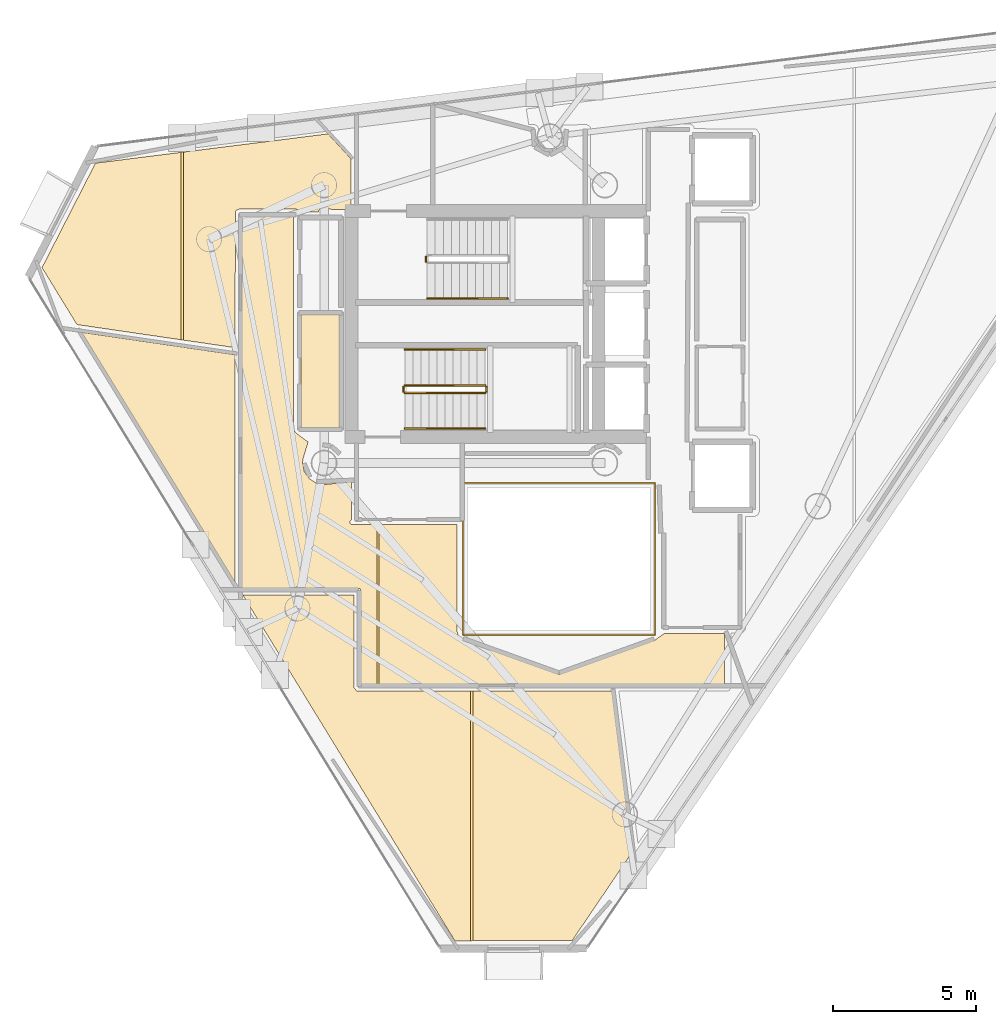
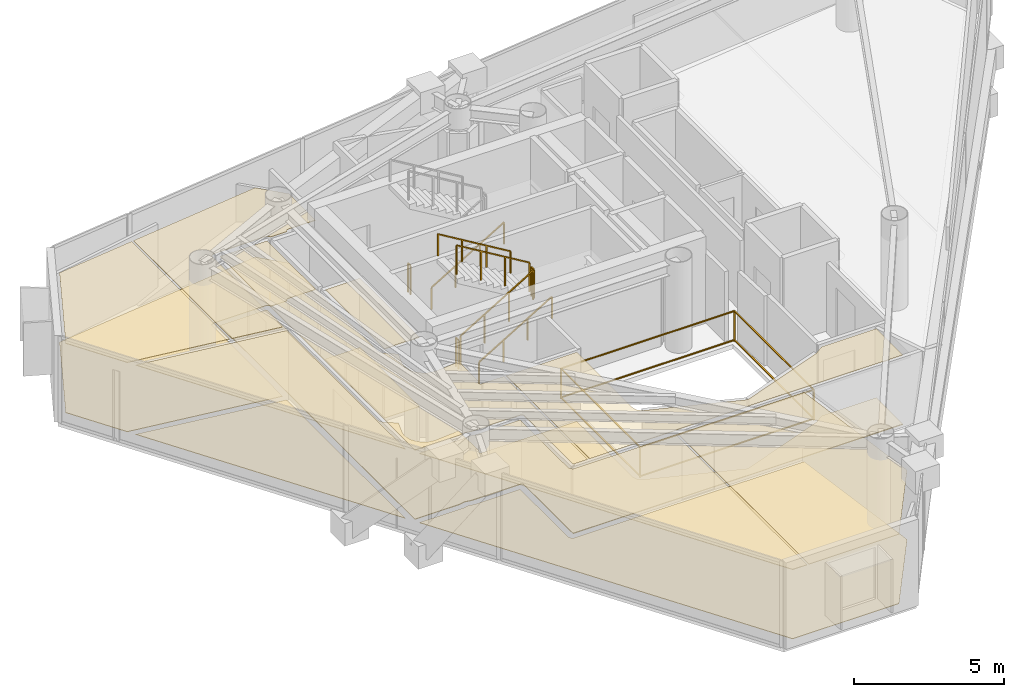
# One storey, part 22 of 23: 13 coverings, 9 railings.
"""IFC4 building model written with IfcOpenShell, lengths in metres."""

import ifcopenshell
import ifcopenshell.guid

model = None  # the IFC model being written
_history = None  # IfcOwnerHistory: only IFC2X3 demands one
_inside = {}  # id of a spatial element -> (the spatial element, [elements in it])
_under = {}  # id of a project, library or spatial element -> (it, [spatial elements below it])
_declared = {}  # id of a project -> (the project, [libraries it declares])
_typed = {}  # id of a type object -> (the type object, [elements of that type])
_made_of = {}  # id of a material, layer set ... -> (it, [elements and type objects made of it])


def new_model(schema):
    """Start an empty IFC model of exactly this schema.

    Asked for "IFC4X3", IfcOpenShell would pick the latest addendum, in which some entities
    have other attributes; the version numbers below select the first issue.
    IFC2X3 requires an IfcOwnerHistory on every rooted entity: one is made here for all.
    """
    global model, _history
    if schema == "IFC4X3":
        model = ifcopenshell.file(schema_version=(4, 3, 0, 0))
    else:
        model = ifcopenshell.file(schema=schema)
    _inside.clear()
    _under.clear()
    _declared.clear()
    _typed.clear()
    _made_of.clear()
    _history = None
    if model.schema == "IFC2X3":
        org = make("IfcOrganization", Name="unknown")
        user = make(
            "IfcPersonAndOrganization",
            ThePerson=make("IfcPerson", FamilyName="unknown"),
            TheOrganization=org,
        )
        app = make(
            "IfcApplication",
            ApplicationDeveloper=org,
            Version="unknown",
            ApplicationFullName="unknown",
            ApplicationIdentifier="unknown",
        )
        _history = make(
            "IfcOwnerHistory",
            OwningUser=user,
            OwningApplication=app,
            ChangeAction="ADDED",
            CreationDate=0,
        )
    return model


def make(cls, **values):
    """One entity of the class cls with the attributes given. An attribute that is None is left unset."""
    return model.create_entity(
        cls, **{name: value for name, value in values.items() if value is not None}
    )


def rooted(cls, **values):
    """An entity with a GlobalId (a new one), such as an element, a storey or a relation."""
    return make(cls, GlobalId=ifcopenshell.guid.new(), OwnerHistory=_history, **values)


def si_unit(unit_type, name, prefix=None):
    """IfcSIUnit, for example si_unit("LENGTHUNIT", "METRE", prefix="MILLI")."""
    return make("IfcSIUnit", UnitType=unit_type, Prefix=prefix, Name=name)


def assignment(units):
    """IfcUnitAssignment: the units of a project."""
    return None if units is None else make("IfcUnitAssignment", Units=units)


def point(xyz):
    """IfcCartesianPoint."""
    return None if xyz is None else make("IfcCartesianPoint", Coordinates=xyz)


def direction(xyz):
    """IfcDirection."""
    return None if xyz is None else make("IfcDirection", DirectionRatios=xyz)


def frame(location, z_axis=None, x_axis=None):
    """IfcAxis2Placement3D, a coordinate frame: its origin and axes. An axis left out is left unset."""
    return make(
        "IfcAxis2Placement3D",
        Location=point(location),
        Axis=direction(z_axis),
        RefDirection=direction(x_axis),
    )


def frame_2d(location, x_axis=None):
    """IfcAxis2Placement2D, a coordinate frame in the plane: its origin and x axis."""
    return make(
        "IfcAxis2Placement2D", Location=point(location), RefDirection=direction(x_axis)
    )


def origin():
    """The frame at (0, 0, 0) with its axes left unset."""
    return frame((0.0, 0.0, 0.0))


def origin_2d():
    """The frame at (0, 0) in the plane with its x axis left unset."""
    return frame_2d((0.0, 0.0))


def place(relative_to, where):
    """IfcLocalPlacement: puts the frame where relative to a parent placement (None: the world)."""
    return make(
        "IfcLocalPlacement", PlacementRelTo=relative_to, RelativePlacement=where
    )


def context(
    kind, dimensions, precision=None, world=None, true_north=None, identifier=None
):
    """IfcGeometricRepresentationContext, for example the 3D "Model" context."""
    return make(
        "IfcGeometricRepresentationContext",
        ContextIdentifier=identifier,
        ContextType=kind,
        CoordinateSpaceDimension=dimensions,
        Precision=precision,
        WorldCoordinateSystem=world,
        TrueNorth=true_north,
    )


def subcontext(parent, identifier, kind, view, scale=None):
    """IfcGeometricRepresentationSubContext, for example "Body" below "Model"."""
    return make(
        "IfcGeometricRepresentationSubContext",
        ContextIdentifier=identifier,
        ContextType=kind,
        ParentContext=parent,
        TargetScale=scale,
        TargetView=view,
    )


def project(units=None, contexts=None):
    """IfcProject with its units and contexts."""
    return rooted(
        "IfcProject",
        Name="project",
        RepresentationContexts=contexts,
        UnitsInContext=assignment(units),
    )


def spatial(cls, under=None, at=None, **own):
    """A site, building, storey or space (cls), placed at a placement, below another one or the project."""
    s = rooted(cls, ObjectPlacement=at, **own)
    if under is not None:
        _under.setdefault(under.id(), (under, []))[1].append(s)
    return s


def polyline(points):
    """IfcPolyline through the points."""
    return make("IfcPolyline", Points=[point(p) for p in points])


def profile(cls, at=None, kind="AREA", **sizes):
    """A parametric profile (cls). Its sizes go by their IFC names, for example OverallWidth=200.0."""
    return make(cls, ProfileType=kind, Position=at, **sizes)


def rectangle(**sizes):
    """IfcRectangleProfileDef."""
    return profile("IfcRectangleProfileDef", **sizes)


def outline(outer, holes=None, kind="AREA"):
    """IfcArbitraryClosedProfileDef: a profile drawn as a closed curve; with holes, ...WithVoids."""
    if holes is None:
        return make("IfcArbitraryClosedProfileDef", ProfileType=kind, OuterCurve=outer)
    return make(
        "IfcArbitraryProfileDefWithVoids",
        ProfileType=kind,
        OuterCurve=outer,
        InnerCurves=holes,
    )


def extrude(swept, where, along, depth):
    """IfcExtrudedAreaSolid: the profile swept, set in the frame where, extruded along a direction by depth."""
    return make(
        "IfcExtrudedAreaSolid",
        SweptArea=swept,
        Position=where,
        ExtrudedDirection=direction(along),
        Depth=depth,
    )


def shape(context_of_items, identifier, shape_type, items):
    """IfcShapeRepresentation: the items that make up one representation, for example the "Body"."""
    return make(
        "IfcShapeRepresentation",
        ContextOfItems=context_of_items,
        RepresentationIdentifier=identifier,
        RepresentationType=shape_type,
        Items=items,
    )


def material(Name=None, Category=None):
    """IfcMaterial."""
    return make("IfcMaterial", Name=Name, Category=Category)


def layer(
    of_material, thickness, ventilated=None, Name=None, Category=None, Priority=None
):
    """IfcMaterialLayer: one layer of a wall or slab, of a material (None: an air gap)."""
    return make(
        "IfcMaterialLayer",
        Material=of_material,
        LayerThickness=thickness,
        IsVentilated=ventilated,
        Name=Name,
        Category=Category,
        Priority=Priority,
    )


def layer_set(layers, Name=None):
    """IfcMaterialLayerSet."""
    return make("IfcMaterialLayerSet", MaterialLayers=layers, LayerSetName=Name)


def made_of(thing, what):
    """Note that an element or type object is made of a material, layer set ...; save() writes the relation."""
    if what is not None:
        _made_of.setdefault(what.id(), (what, []))[1].append(thing)
    return thing


def type_object(cls, material=None, **own):
    """A type object (cls), such as IfcWallType, which elements share."""
    return made_of(rooted(cls, **own), material)


def element(
    cls,
    number,
    at=None,
    inside=None,
    cuts=None,
    type_object=None,
    material=None,
    context=None,
    identifier="Body",
    shape_type=None,
    held_by="IfcProductDefinitionShape",
    body=None,
    shapes=None,
    **own,
):
    """One element of the class cls, such as IfcWall. Its Tag is "e" and its number.

    at: its placement. inside: the storey or other place that contains it. cuts: it is an
    opening in that element (IfcRelVoidsElement). A single representation is given by context,
    identifier, shape_type and body (its items); several are given by shapes. held_by: the class
    of the entity that holds the representations. save() writes the other relations.
    """
    e = rooted(cls, Tag="e%d" % number, ObjectPlacement=at, **own)
    if body is not None:
        shapes = [shape(context, identifier, shape_type, body)]
    if shapes is not None:
        e.Representation = make(held_by, Representations=shapes)
    if inside is not None:
        _inside.setdefault(inside.id(), (inside, []))[1].append(e)
    if cuts is not None:
        rooted(
            "IfcRelVoidsElement", RelatingBuildingElement=cuts, RelatedOpeningElement=e
        )
    if type_object is not None:
        _typed.setdefault(type_object.id(), (type_object, []))[1].append(e)
    return made_of(e, material)


def aggregate(whole, parts):
    """IfcRelAggregates: a whole, such as a stair, and the parts it consists of."""
    return rooted("IfcRelAggregates", RelatingObject=whole, RelatedObjects=parts)


def save(model, path):
    """Write the relations noted so far, then the file.

    IfcRelAggregates (storeys below a building ...), IfcRelContainedInSpatialStructure (elements
    in a storey), IfcRelDefinesByType, IfcRelAssociatesMaterial and IfcRelDeclares: one each for
    every whole, place, type object, material and project.
    """
    for whole, parts in _under.values():
        aggregate(whole, parts)
    for where, things in _inside.values():
        rooted(
            "IfcRelContainedInSpatialStructure",
            RelatedElements=things,
            RelatingStructure=where,
        )
    for kind, things in _typed.values():
        rooted("IfcRelDefinesByType", RelatedObjects=things, RelatingType=kind)
    for what, things in _made_of.values():
        rooted("IfcRelAssociatesMaterial", RelatedObjects=things, RelatingMaterial=what)
    for by, libraries in _declared.values():
        rooted("IfcRelDeclares", RelatingContext=by, RelatedDefinitions=libraries)
    model.write(path)


model = new_model("IFC4")

# Units and contexts
model_context = context("Model", 3, precision=1e-05, world=origin(), true_north=direction((0.0, 1.0)))
body_context = subcontext(model_context, "Body", "Model", "MODEL_VIEW")
ifc_project = project(units=[si_unit("LENGTHUNIT", "METRE"), si_unit("AREAUNIT", "SQUARE_METRE"), si_unit("VOLUMEUNIT", "CUBIC_METRE"), si_unit("PLANEANGLEUNIT", "RADIAN"), si_unit("MASSUNIT", "GRAM", prefix="KILO")], contexts=[model_context])

# Site, building, storey
site_placement = place(None, origin())
site = spatial("IfcSite", under=ifc_project, at=site_placement, CompositionType="ELEMENT")
building_placement = place(site_placement, origin())
building = spatial("IfcBuilding", under=site, at=building_placement, Name="Qianvela Tower", CompositionType="ELEMENT")
storey_placement = place(building_placement, frame((0.0, 0.0, 284.300048828125)))
storey = spatial("IfcBuildingStorey", under=building, at=storey_placement, Name="L73", CompositionType="ELEMENT", Elevation=284.300048828125)

# Coverings
ifc_material_1 = material(Name="Perforated Mineral Acoustic Ceiling Tile")
ifc_layer_1 = layer(ifc_material_1, 0.02490234375)
ifc_layer_set_1 = layer_set([ifc_layer_1], Name="Perforated Mineral Acoustic Ceiling Tile")
covering_type_1 = type_object("IfcCoveringType", Name="COV-CEIL-ACOUSTIC-25", PredefinedType="CEILING", material=ifc_layer_set_1)
covering_1_placement = place(storey_placement, frame((0.0, 0.0, 2.81494140625)))
element("IfcCovering", 1, at=covering_1_placement, inside=storey, type_object=covering_type_1, Name="L73 Acoustic Ceiling L73 Core Tea Pantry West", PredefinedType="CEILING", context=body_context, shape_type="SweptSolid", body=[
    extrude(outline(polyline([(27.800048828125, 25.080078125), (27.800048828125, 29.0400390625), (29.139892578125, 29.0400390625), (29.139892578125, 25.080078125), (27.800048828125, 25.080078125)])), origin(), (0.0, 0.0, 1.0), 0.02490234375),
])
covering_2_placement = place(storey_placement, frame((0.0, 0.0, 2.81494140625)))
element("IfcCovering", 2, at=covering_2_placement, inside=storey, type_object=covering_type_1, Name="L73 Acoustic Ceiling Bay 1 L73 Floor Corridor", PredefinedType="CEILING", context=body_context, shape_type="SweptSolid", body=[
    extrude(outline(polyline([(27.85009765625, 23.85009765625), (27.850341796875, 23.84228515625), (27.8515625, 23.83447265625), (27.902587890625, 23.577880859375), (27.904296875, 23.5703125), (27.906982421875, 23.56298828125), (27.910400390625, 23.555908203125), (27.91455078125, 23.54931640625), (28.059814453125, 23.331787109375), (28.064453125, 23.325439453125), (28.069580078125, 23.319580078125), (28.075439453125, 23.314453125), (28.081787109375, 23.309814453125), (28.29931640625, 23.16455078125), (28.305908203125, 23.160400390625), (28.31298828125, 23.156982421875), (28.3203125, 23.154296875), (28.327880859375, 23.152587890625), (28.58447265625, 23.1015625), (28.59228515625, 23.100341796875), (28.60009765625, 23.10009765625), (28.60791015625, 23.100341796875), (29.55810546875, 23.194091796875), (29.55810546875, 21.877685546875), (29.52001953125, 21.82958984375), (29.515380859375, 21.822998046875), (29.51171875, 21.81640625), (29.508544921875, 21.809326171875), (29.506103515625, 21.802001953125), (29.504150390625, 21.794189453125), (29.503173828125, 21.78662109375), (29.5029296875, 21.77880859375), (29.50341796875, 21.77099609375), (29.504638671875, 21.763427734375), (29.506591796875, 21.755859375), (29.50927734375, 21.74853515625), (29.5126953125, 21.74169921875), (29.516845703125, 21.735107421875), (29.521484375, 21.728759765625), (29.52685546875, 21.722900390625), (29.53271484375, 21.7177734375), (29.538818359375, 21.713134765625), (29.54541015625, 21.709228515625), (29.552490234375, 21.7060546875), (29.559814453125, 21.703369140625), (29.5673828125, 21.701416015625), (29.5751953125, 21.700439453125), (29.5830078125, 21.699951171875), (30.443115234375, 21.699951171875), (30.443115234375, 16.1298828125), (29.8798828125, 16.1298828125), (29.8798828125, 19.39990234375), (29.879638671875, 19.40771484375), (29.87841796875, 19.41552734375), (29.876708984375, 19.423095703125), (29.873779296875, 19.4306640625), (29.87060546875, 19.437744140625), (29.866455078125, 19.4443359375), (29.86181640625, 19.45068359375), (29.856689453125, 19.45654296875), (29.850830078125, 19.4619140625), (29.844482421875, 19.466552734375), (29.837646484375, 19.470703125), (29.83056640625, 19.473876953125), (29.8232421875, 19.4765625), (29.815673828125, 19.478515625), (29.807861328125, 19.4794921875), (29.800048828125, 19.47998046875), (27.910888671875, 19.47998046875), (27.684814453125, 19.522705078125), (27.677490234375, 19.523681640625), (27.669921875, 19.52392578125), (27.66259765625, 19.523681640625), (27.6552734375, 19.522705078125), (27.42919921875, 19.47998046875), (25.72998046875, 19.47998046875), (25.72998046875, 32.469970703125), (27.5400390625, 32.469970703125), (27.5400390625, 25.04638671875), (27.540283203125, 25.038818359375), (27.54150390625, 25.03125), (27.543212890625, 25.023681640625), (27.545654296875, 25.0166015625), (27.548828125, 25.009765625), (27.552734375, 25.003173828125), (27.61328125, 24.90869140625), (27.61767578125, 24.90283203125), (27.622314453125, 24.8974609375), (27.62744140625, 24.892333984375), (27.633056640625, 24.8876953125), (28.042236328125, 24.584228515625), (27.8662109375, 24.00390625), (27.864501953125, 23.996337890625), (27.86328125, 23.988525390625), (27.850341796875, 23.85791015625), (27.85009765625, 23.85009765625)])), origin(), (0.0, 0.0, 1.0), 0.02490234375),
])
covering_3_placement = place(storey_placement, frame((0.0, 0.0, 2.81494140625)))
element("IfcCovering", 3, at=covering_3_placement, inside=storey, type_object=covering_type_1, Name="L73 Acoustic Ceiling Bay 2 L73 Floor Corridor", PredefinedType="CEILING", context=body_context, shape_type="SweptSolid", body=[
    extrude(outline(polyline([(33.239990234375, 21.699951171875), (33.239990234375, 18.0), (33.240478515625, 17.990234375), (33.242431640625, 17.980712890625), (33.275390625, 17.8486328125), (33.277587890625, 17.841796875), (33.2802734375, 17.8349609375), (33.283447265625, 17.82861328125), (33.287353515625, 17.822509765625), (33.29150390625, 17.81689453125), (33.29638671875, 17.811279296875), (33.411376953125, 17.696533203125), (33.41796875, 17.690673828125), (33.42529296875, 17.685546875), (33.432861328125, 17.68115234375), (33.44091796875, 17.677734375), (36.77294921875, 16.482666015625), (36.780517578125, 16.48046875), (36.7880859375, 16.47900390625), (36.7958984375, 16.47802734375), (36.803955078125, 16.47802734375), (36.811767578125, 16.47900390625), (36.8193359375, 16.48046875), (36.826904296875, 16.482666015625), (40.134033203125, 17.666015625), (40.140869140625, 17.668701171875), (40.1474609375, 17.672119140625), (40.153564453125, 17.676025390625), (40.458740234375, 17.89306640625), (42.570068359375, 17.899658203125), (42.570068359375, 16.1298828125), (30.523193359375, 16.1298828125), (30.523193359375, 21.699951171875), (33.239990234375, 21.699951171875)])), origin(), (0.0, 0.0, 1.0), 0.02490234375),
])
covering_4_placement = place(storey_placement, frame((0.0, 0.0, 2.81494140625)))
element("IfcCovering", 4, at=covering_4_placement, inside=storey, type_object=covering_type_1, Name="L73 Acoustic Ceiling Tutorial Breakout Seminar L73-01", PredefinedType="CEILING", context=body_context, shape_type="SweptSolid", body=[
    extrude(outline(polyline([(20.142333984375, 28.410400390625), (25.489990234375, 27.6298828125), (25.489990234375, 19.690673828125), (20.142333984375, 28.410400390625)])), origin(), (0.0, 0.0, 1.0), 0.02490234375),
])
covering_5_placement = place(storey_placement, frame((0.0, 0.0, 2.81494140625)))
element("IfcCovering", 5, at=covering_5_placement, inside=storey, type_object=covering_type_1, Name="L73 Acoustic Ceiling Bay 1 Project Huddle Conference L73-02", PredefinedType="CEILING", context=body_context, shape_type="SweptSolid", body=[
    extrude(outline(polyline([(33.164794921875, 7.17626953125), (25.76318359375, 19.24560546875), (27.436279296875, 19.239990234375), (27.44384765625, 19.240234375), (27.450927734375, 19.2412109375), (27.669921875, 19.28125), (27.888916015625, 19.2412109375), (27.89599609375, 19.240234375), (27.9033203125, 19.239990234375), (29.639892578125, 19.239990234375), (29.639892578125, 16.050048828125), (29.640380859375, 16.042724609375), (29.641357421875, 16.035400390625), (29.64306640625, 16.0283203125), (29.645263671875, 16.021484375), (29.648193359375, 16.014892578125), (29.651611328125, 16.00830078125), (29.65576171875, 16.002197265625), (29.71240234375, 15.92578125), (29.7177734375, 15.91943359375), (29.7236328125, 15.91357421875), (29.730224609375, 15.908447265625), (29.737060546875, 15.904052734375), (29.744384765625, 15.900146484375), (29.752197265625, 15.897216796875), (29.76025390625, 15.895263671875), (29.7685546875, 15.893798828125), (29.776611328125, 15.893310546875), (33.709716796875, 15.891845703125), (33.709716796875, 7.177490234375), (33.164794921875, 7.17626953125)])), origin(), (0.0, 0.0, 1.0), 0.02490234375),
])
covering_6_placement = place(storey_placement, frame((0.0, 0.0, 2.81494140625)))
element("IfcCovering", 6, at=covering_6_placement, inside=storey, type_object=covering_type_1, Name="L73 Acoustic Ceiling Bay 2 Project Huddle Conference L73-02", PredefinedType="CEILING", context=body_context, shape_type="SweptSolid", body=[
    extrude(outline(polyline([(33.78955078125, 7.177734375), (33.78955078125, 15.891845703125), (38.64404296875, 15.889892578125), (39.348876953125, 10.26611328125), (37.260986328125, 7.185791015625), (33.78955078125, 7.177734375)])), origin(), (0.0, 0.0, 1.0), 0.02490234375),
])
covering_7_placement = place(storey_placement, frame((0.0, 0.0, 2.81494140625)))
element("IfcCovering", 7, at=covering_7_placement, inside=storey, type_object=covering_type_1, Name="L73 Acoustic Ceiling Bay 1 Commons Day Lounge L73-04", PredefinedType="CEILING", context=body_context, shape_type="SweptSolid", body=[
    extrude(outline(polyline([(19.976318359375, 28.68115234375), (18.756591796875, 30.670166015625), (20.622314453125, 34.31689453125), (23.610595703125, 34.692626953125), (23.610595703125, 28.150634765625), (19.976318359375, 28.68115234375)])), origin(), (0.0, 0.0, 1.0), 0.02490234375),
])
covering_8_placement = place(storey_placement, frame((0.0, 0.0, 2.81494140625)))
element("IfcCovering", 8, at=covering_8_placement, inside=storey, type_object=covering_type_1, Name="L73 Acoustic Ceiling Bay 2 Commons Day Lounge L73-04", PredefinedType="CEILING", context=body_context, shape_type="SweptSolid", body=[
    extrude(outline(polyline([(29.5400390625, 34.467041015625), (29.5400390625, 32.700439453125), (28.54296875, 32.709716796875), (28.53662109375, 32.70947265625), (28.530029296875, 32.708740234375), (28.4677734375, 32.69921875), (28.460205078125, 32.697509765625), (28.452880859375, 32.6953125), (28.446044921875, 32.6923828125), (28.439208984375, 32.688720703125), (28.432861328125, 32.6845703125), (28.427001953125, 32.6796875), (28.42138671875, 32.674560546875), (28.41650390625, 32.668701171875), (28.412109375, 32.662353515625), (28.408447265625, 32.65576171875), (28.405517578125, 32.648681640625), (28.403076171875, 32.6416015625), (28.4013671875, 32.634033203125), (28.400390625, 32.62646484375), (28.39892578125, 32.609619140625), (27.7626953125, 32.607666015625), (27.759521484375, 32.6201171875), (27.757080078125, 32.62744140625), (27.754150390625, 32.634765625), (27.75048828125, 32.6416015625), (27.74609375, 32.648193359375), (27.7412109375, 32.654296875), (27.735595703125, 32.659912109375), (27.7294921875, 32.6650390625), (27.722900390625, 32.66943359375), (27.716064453125, 32.673095703125), (27.654296875, 32.702392578125), (27.647705078125, 32.705078125), (27.64111328125, 32.707275390625), (27.634033203125, 32.708740234375), (27.627197265625, 32.709716796875), (27.6201171875, 32.7099609375), (25.64990234375, 32.7099609375), (25.642822265625, 32.709716796875), (25.635986328125, 32.708740234375), (25.62890625, 32.707275390625), (25.622314453125, 32.705078125), (25.61572265625, 32.702392578125), (25.553955078125, 32.673095703125), (25.546630859375, 32.669189453125), (25.5400390625, 32.66455078125), (25.53369140625, 32.659423828125), (25.528076171875, 32.653564453125), (25.52294921875, 32.647216796875), (25.5185546875, 32.64013671875), (25.514892578125, 32.6328125), (25.511962890625, 32.625244140625), (25.510009765625, 32.6171875), (25.508544921875, 32.609130859375), (25.50830078125, 32.60107421875), (25.490234375, 27.87646484375), (23.690673828125, 28.13916015625), (23.690673828125, 34.70263671875), (28.73876953125, 35.33740234375), (29.5400390625, 34.467041015625)])), origin(), (0.0, 0.0, 1.0), 0.02490234375),
])
ifc_material_2 = material(Name="Engineered Acoustic Oak Timber Flooring", Category="wood")
ifc_layer_2 = layer(ifc_material_2, 0.02001953125)
ifc_layer_set_2 = layer_set([ifc_layer_2], Name="Engineered Acoustic Oak Timber Flooring")
covering_type_2 = type_object("IfcCoveringType", Name="COV-FLOOR-OAK-20", PredefinedType="FLOORING", material=ifc_layer_set_2)
covering_9_placement = place(storey_placement, origin())
element("IfcCovering", 9, at=covering_9_placement, inside=storey, type_object=covering_type_2, Name="L73 Finish Flooring L73 Core Tea Pantry West", PredefinedType="FLOORING", context=body_context, shape_type="SweptSolid", body=[
    extrude(outline(polyline([(27.800048828125, 25.080078125), (27.800048828125, 29.0400390625), (29.139892578125, 29.0400390625), (29.139892578125, 25.080078125), (27.800048828125, 25.080078125)])), origin(), (0.0, 0.0, 1.0), 0.02001953125),
])
covering_10_placement = place(storey_placement, origin())
element("IfcCovering", 10, at=covering_10_placement, inside=storey, type_object=covering_type_2, Name="L73 Finish Flooring Tutorial Breakout Seminar L73-01", PredefinedType="FLOORING", context=body_context, shape_type="SweptSolid", body=[
    extrude(outline(polyline([(20.142333984375, 28.410400390625), (25.489990234375, 27.6298828125), (25.489990234375, 19.690673828125), (20.142333984375, 28.410400390625)])), origin(), (0.0, 0.0, 1.0), 0.02001953125),
])
covering_11_placement = place(storey_placement, origin())
element("IfcCovering", 11, at=covering_11_placement, inside=storey, type_object=covering_type_2, Name="L73 Finish Flooring Project Huddle Conference L73-02", PredefinedType="FLOORING", context=body_context, shape_type="SweptSolid", body=[
    extrude(outline(polyline([(37.260986328125, 7.185791015625), (33.164794921875, 7.17626953125), (25.76318359375, 19.24560546875), (27.436279296875, 19.239990234375), (27.44384765625, 19.240234375), (27.450927734375, 19.2412109375), (27.669921875, 19.28125), (27.888916015625, 19.2412109375), (27.89599609375, 19.240234375), (27.9033203125, 19.239990234375), (29.639892578125, 19.239990234375), (29.639892578125, 16.050048828125), (29.640380859375, 16.042724609375), (29.641357421875, 16.035400390625), (29.64306640625, 16.0283203125), (29.645263671875, 16.021484375), (29.648193359375, 16.014892578125), (29.651611328125, 16.00830078125), (29.65576171875, 16.002197265625), (29.71240234375, 15.92578125), (29.7177734375, 15.91943359375), (29.7236328125, 15.91357421875), (29.730224609375, 15.908447265625), (29.737060546875, 15.904052734375), (29.744384765625, 15.900146484375), (29.752197265625, 15.897216796875), (29.76025390625, 15.895263671875), (29.7685546875, 15.893798828125), (29.776611328125, 15.893310546875), (38.64404296875, 15.889892578125), (39.348876953125, 10.26611328125), (37.260986328125, 7.185791015625)])), origin(), (0.0, 0.0, 1.0), 0.02001953125),
])
covering_12_placement = place(storey_placement, origin())
element("IfcCovering", 12, at=covering_12_placement, inside=storey, type_object=covering_type_2, Name="L73 Finish Flooring Commons Day Lounge L73-04", PredefinedType="FLOORING", context=body_context, shape_type="SweptSolid", body=[
    extrude(outline(polyline([(28.73876953125, 35.33740234375), (29.5400390625, 34.467041015625), (29.5400390625, 32.700439453125), (28.54296875, 32.709716796875), (28.53662109375, 32.70947265625), (28.530029296875, 32.708740234375), (28.4677734375, 32.69921875), (28.460205078125, 32.697509765625), (28.452880859375, 32.6953125), (28.446044921875, 32.6923828125), (28.439208984375, 32.688720703125), (28.432861328125, 32.6845703125), (28.427001953125, 32.6796875), (28.42138671875, 32.674560546875), (28.41650390625, 32.668701171875), (28.412109375, 32.662353515625), (28.408447265625, 32.65576171875), (28.405517578125, 32.648681640625), (28.403076171875, 32.6416015625), (28.4013671875, 32.634033203125), (28.400390625, 32.62646484375), (28.39892578125, 32.609619140625), (27.7626953125, 32.607666015625), (27.759521484375, 32.6201171875), (27.757080078125, 32.62744140625), (27.754150390625, 32.634765625), (27.75048828125, 32.6416015625), (27.74609375, 32.648193359375), (27.7412109375, 32.654296875), (27.735595703125, 32.659912109375), (27.7294921875, 32.6650390625), (27.722900390625, 32.66943359375), (27.716064453125, 32.673095703125), (27.654296875, 32.702392578125), (27.647705078125, 32.705078125), (27.64111328125, 32.707275390625), (27.634033203125, 32.708740234375), (27.627197265625, 32.709716796875), (27.6201171875, 32.7099609375), (25.64990234375, 32.7099609375), (25.642822265625, 32.709716796875), (25.635986328125, 32.708740234375), (25.62890625, 32.707275390625), (25.622314453125, 32.705078125), (25.61572265625, 32.702392578125), (25.553955078125, 32.673095703125), (25.546630859375, 32.669189453125), (25.5400390625, 32.66455078125), (25.53369140625, 32.659423828125), (25.528076171875, 32.653564453125), (25.52294921875, 32.647216796875), (25.5185546875, 32.64013671875), (25.514892578125, 32.6328125), (25.511962890625, 32.625244140625), (25.510009765625, 32.6171875), (25.508544921875, 32.609130859375), (25.50830078125, 32.60107421875), (25.490234375, 27.87646484375), (19.976318359375, 28.68115234375), (18.756591796875, 30.670166015625), (20.622314453125, 34.31689453125), (28.73876953125, 35.33740234375)])), origin(), (0.0, 0.0, 1.0), 0.02001953125),
])
ifc_material_3 = material(Name="Honed Stone Terrazzo Flooring", Category="masonry")
ifc_layer_3 = layer(ifc_material_3, 0.030029296875)
ifc_layer_set_3 = layer_set([ifc_layer_3], Name="Honed Stone Terrazzo Flooring")
covering_type_3 = type_object("IfcCoveringType", Name="COV-FLOOR-TERRAZZO-30", PredefinedType="FLOORING", material=ifc_layer_set_3)
covering_13_placement = place(storey_placement, origin())
element("IfcCovering", 13, at=covering_13_placement, inside=storey, type_object=covering_type_3, Name="L73 Finish Flooring L73 Floor Corridor", PredefinedType="FLOORING", context=body_context, shape_type="SweptSolid", body=[
    extrude(outline(polyline([(27.850341796875, 23.85791015625), (27.85009765625, 23.85009765625), (27.850341796875, 23.84228515625), (27.8515625, 23.83447265625), (27.902587890625, 23.577880859375), (27.904296875, 23.5703125), (27.906982421875, 23.56298828125), (27.910400390625, 23.555908203125), (27.91455078125, 23.54931640625), (28.059814453125, 23.331787109375), (28.064453125, 23.325439453125), (28.069580078125, 23.319580078125), (28.075439453125, 23.314453125), (28.081787109375, 23.309814453125), (28.29931640625, 23.16455078125), (28.305908203125, 23.160400390625), (28.31298828125, 23.156982421875), (28.3203125, 23.154296875), (28.327880859375, 23.152587890625), (28.58447265625, 23.1015625), (28.59228515625, 23.100341796875), (28.60009765625, 23.10009765625), (28.60791015625, 23.100341796875), (29.55810546875, 23.194091796875), (29.55810546875, 21.877685546875), (29.52001953125, 21.82958984375), (29.515380859375, 21.822998046875), (29.51171875, 21.81640625), (29.508544921875, 21.809326171875), (29.506103515625, 21.802001953125), (29.504150390625, 21.794189453125), (29.503173828125, 21.78662109375), (29.5029296875, 21.77880859375), (29.50341796875, 21.77099609375), (29.504638671875, 21.763427734375), (29.506591796875, 21.755859375), (29.50927734375, 21.74853515625), (29.5126953125, 21.74169921875), (29.516845703125, 21.735107421875), (29.521484375, 21.728759765625), (29.52685546875, 21.722900390625), (29.53271484375, 21.7177734375), (29.538818359375, 21.713134765625), (29.54541015625, 21.709228515625), (29.552490234375, 21.7060546875), (29.559814453125, 21.703369140625), (29.5673828125, 21.701416015625), (29.5751953125, 21.700439453125), (29.5830078125, 21.699951171875), (33.239990234375, 21.699951171875), (33.239990234375, 18.0), (33.240478515625, 17.990234375), (33.242431640625, 17.980712890625), (33.275390625, 17.8486328125), (33.277587890625, 17.841796875), (33.2802734375, 17.8349609375), (33.283447265625, 17.82861328125), (33.287353515625, 17.822509765625), (33.29150390625, 17.81689453125), (33.29638671875, 17.811279296875), (33.411376953125, 17.696533203125), (33.41796875, 17.690673828125), (33.42529296875, 17.685546875), (33.432861328125, 17.68115234375), (33.44091796875, 17.677734375), (36.77294921875, 16.482666015625), (36.780517578125, 16.48046875), (36.7880859375, 16.47900390625), (36.7958984375, 16.47802734375), (36.803955078125, 16.47802734375), (36.811767578125, 16.47900390625), (36.8193359375, 16.48046875), (36.826904296875, 16.482666015625), (40.134033203125, 17.666015625), (40.140869140625, 17.668701171875), (40.1474609375, 17.672119140625), (40.153564453125, 17.676025390625), (40.458740234375, 17.89306640625), (42.570068359375, 17.899658203125), (42.570068359375, 16.1298828125), (29.8798828125, 16.1298828125), (29.8798828125, 19.39990234375), (29.879638671875, 19.40771484375), (29.87841796875, 19.41552734375), (29.876708984375, 19.423095703125), (29.873779296875, 19.4306640625), (29.87060546875, 19.437744140625), (29.866455078125, 19.4443359375), (29.86181640625, 19.45068359375), (29.856689453125, 19.45654296875), (29.850830078125, 19.4619140625), (29.844482421875, 19.466552734375), (29.837646484375, 19.470703125), (29.83056640625, 19.473876953125), (29.8232421875, 19.4765625), (29.815673828125, 19.478515625), (29.807861328125, 19.4794921875), (29.800048828125, 19.47998046875), (27.910888671875, 19.47998046875), (27.684814453125, 19.522705078125), (27.677490234375, 19.523681640625), (27.669921875, 19.52392578125), (27.66259765625, 19.523681640625), (27.6552734375, 19.522705078125), (27.42919921875, 19.47998046875), (25.72998046875, 19.47998046875), (25.72998046875, 32.469970703125), (27.5400390625, 32.469970703125), (27.5400390625, 25.04638671875), (27.540283203125, 25.038818359375), (27.54150390625, 25.03125), (27.543212890625, 25.023681640625), (27.545654296875, 25.0166015625), (27.548828125, 25.009765625), (27.552734375, 25.003173828125), (27.61328125, 24.90869140625), (27.61767578125, 24.90283203125), (27.622314453125, 24.8974609375), (27.62744140625, 24.892333984375), (27.633056640625, 24.8876953125), (28.042236328125, 24.584228515625), (27.8662109375, 24.00390625), (27.864501953125, 23.996337890625), (27.86328125, 23.988525390625), (27.850341796875, 23.85791015625)])), origin(), (0.0, 0.0, 1.0), 0.030029296875),
])

# Railings
ifc_material_4 = material(Name="Laminated Safety Glass and Stainless Steel 316", Category="steel")
railing_type_1 = type_object("IfcRailingType", Name="RL-ATRIUM-GUARD-1250", PredefinedType="GUARDRAIL", material=ifc_material_4)
railing_1_placement = place(storey_placement, frame((33.4599609375, 17.860107421875, 0.0)))
element("IfcRailing", 14, at=railing_1_placement, inside=storey, type_object=railing_type_1, Name="L73 Atrium Edge Guardrail 1", PredefinedType="GUARDRAIL", context=body_context, shape_type="SweptSolid", body=[
    extrude(rectangle(XDim=0.050048828125, YDim=0.0400390625, at=origin_2d()), frame((0.0, 0.0, 1.22998046875), z_axis=(0.0, 1.0, 0.0), x_axis=(-1.0, 0.0, 0.0)), (0.0, 0.0, 1.0), 5.27978515625),
    extrude(rectangle(XDim=0.050048828125, YDim=0.0400390625, at=origin_2d()), frame((0.0, 0.0, 0.050048828125), z_axis=(0.0, 1.0, 0.0), x_axis=(-1.0, 0.0, 0.0)), (0.0, 0.0, 1.0), 5.27978515625),
    extrude(rectangle(XDim=0.050048828125, YDim=0.0400390625, at=origin_2d()), frame((0.0, 5.27978515625, 1.22998046875), z_axis=(1.0, 0.0, 0.0), x_axis=(0.0, 1.0, 0.0)), (0.0, 0.0, 1.0), 6.679931640625),
    extrude(rectangle(XDim=0.050048828125, YDim=0.0400390625, at=origin_2d()), frame((0.0, 5.27978515625, 0.050048828125), z_axis=(1.0, 0.0, 0.0), x_axis=(0.0, 1.0, 0.0)), (0.0, 0.0, 1.0), 6.679931640625),
    extrude(rectangle(XDim=0.050048828125, YDim=0.0400390625, at=origin_2d()), frame((6.679931640625, 5.27978515625, 1.22998046875), z_axis=(0.0, -1.0, 0.0), x_axis=(1.0, 0.0, 0.0)), (0.0, 0.0, 1.0), 5.27978515625),
    extrude(rectangle(XDim=0.050048828125, YDim=0.0400390625, at=origin_2d()), frame((6.679931640625, 5.27978515625, 0.050048828125), z_axis=(0.0, -1.0, 0.0), x_axis=(1.0, 0.0, 0.0)), (0.0, 0.0, 1.0), 5.27978515625),
    extrude(rectangle(XDim=0.050048828125, YDim=0.0400390625, at=origin_2d()), frame((6.679931640625, 0.0, 1.22998046875), z_axis=(-1.0, 0.0, 0.0), x_axis=(0.0, -1.0, 0.0)), (0.0, 0.0, 1.0), 6.679931640625),
    extrude(rectangle(XDim=0.050048828125, YDim=0.0400390625, at=origin_2d()), frame((6.679931640625, 0.0, 0.050048828125), z_axis=(-1.0, 0.0, 0.0), x_axis=(0.0, -1.0, 0.0)), (0.0, 0.0, 1.0), 6.679931640625),
    extrude(rectangle(XDim=0.050048828125, YDim=0.050048828125, at=origin_2d()), origin(), (0.0, 0.0, 1.0), 1.2099609375),
    extrude(rectangle(XDim=0.050048828125, YDim=0.050048828125, at=origin_2d()), frame((0.0, 5.27978515625, 0.0)), (0.0, 0.0, 1.0), 1.2099609375),
    extrude(rectangle(XDim=0.050048828125, YDim=0.050048828125, at=origin_2d()), frame((6.679931640625, 5.27978515625, 0.0)), (0.0, 0.0, 1.0), 1.2099609375),
    extrude(rectangle(XDim=0.050048828125, YDim=0.050048828125, at=origin_2d()), frame((6.679931640625, 0.0, 0.0)), (0.0, 0.0, 1.0), 1.2099609375),
])
ifc_material_5 = material(Name="Painted Tubular Steel Q355B", Category="steel")
railing_type_2 = type_object("IfcRailingType", Name="RL-STAIR-GUARD-1200", PredefinedType="GUARDRAIL", material=ifc_material_5)
railing_2_placement = place(storey_placement, frame((32.14990234375, 30.889892578125, 0.0)))
element("IfcRailing", 15, at=railing_2_placement, inside=storey, type_object=railing_type_2, Name="L73 ST-1 stair guard 4", PredefinedType="GUARDRAIL", context=body_context, shape_type="SweptSolid", body=[
    extrude(rectangle(XDim=0.050048828125, YDim=0.0400390625, at=origin_2d()), frame((0.0, 0.0, 1.179931640625), z_axis=(0.0, 1.0, 0.0), x_axis=(-1.0, 0.0, 0.0)), (0.0, 0.0, 1.0), 0.16015625),
    extrude(rectangle(XDim=0.050048828125, YDim=0.050048828125, at=origin_2d()), origin(), (0.0, 0.0, 1.0), 1.159912109375),
    extrude(rectangle(XDim=0.050048828125, YDim=0.050048828125, at=origin_2d()), frame((0.0, 0.16015625, 0.0)), (0.0, 0.0, 1.0), 1.159912109375),
])
railing_3_placement = place(storey_placement, frame((31.419921875, 26.300048828125, 0.168212890625)))
element("IfcRailing", 16, at=railing_3_placement, inside=storey, type_object=railing_type_2, Name="L73 ST-2 stair guard 1", PredefinedType="GUARDRAIL", context=body_context, shape_type="SweptSolid", body=[
    extrude(rectangle(XDim=0.050048828125, YDim=0.0400390625, at=origin_2d()), frame((0.0, 0.0, 1.179931640625), z_axis=(0.857275202839, 0.0, 0.514858452973), x_axis=(0.0, 1.0, 0.0)), (0.0, 0.0, 1.0), 3.26611328125),
    extrude(rectangle(XDim=0.050048828125, YDim=0.050048828125, at=origin_2d()), origin(), (0.0, 0.0, 1.0), 1.159912109375),
    extrude(rectangle(XDim=0.050048828125, YDim=0.050048828125, at=origin_2d()), frame((0.933349609375, 0.0, 0.560546875)), (0.0, 0.0, 1.0), 1.159912109375),
    extrude(rectangle(XDim=0.050048828125, YDim=0.050048828125, at=origin_2d()), frame((1.86669921875, 0.0, 1.12109375)), (0.0, 0.0, 1.0), 1.159912109375),
    extrude(rectangle(XDim=0.050048828125, YDim=0.050048828125, at=origin_2d()), frame((2.800048828125, 0.0, 1.681640625)), (0.0, 0.0, 1.0), 1.159912109375),
])
railing_4_placement = place(storey_placement, frame((34.27001953125, 26.35009765625, 1.849853515625)))
element("IfcRailing", 17, at=railing_4_placement, inside=storey, type_object=railing_type_2, Name="L73 ST-2 stair guard 2", PredefinedType="GUARDRAIL", context=body_context, shape_type="SweptSolid", body=[
    extrude(rectangle(XDim=0.050048828125, YDim=0.0400390625, at=origin_2d()), frame((0.0, 0.0, 1.179931640625), z_axis=(0.0, 1.0, 0.0), x_axis=(-1.0, 0.0, 0.0)), (0.0, 0.0, 1.0), 0.159912109375),
    extrude(rectangle(XDim=0.050048828125, YDim=0.050048828125, at=origin_2d()), origin(), (0.0, 0.0, 1.0), 1.159912109375),
    extrude(rectangle(XDim=0.050048828125, YDim=0.050048828125, at=origin_2d()), frame((0.0, 0.159912109375, 0.0)), (0.0, 0.0, 1.0), 1.159912109375),
])
railing_5_placement = place(storey_placement, frame((34.219970703125, 26.56005859375, 2.01806640625)))
element("IfcRailing", 18, at=railing_5_placement, inside=storey, type_object=railing_type_2, Name="L73 ST-2 stair guard 3", PredefinedType="GUARDRAIL", context=body_context, shape_type="SweptSolid", body=[
    extrude(rectangle(XDim=0.050048828125, YDim=0.0400390625, at=origin_2d()), frame((0.0, 0.0, 1.179931640625), z_axis=(-0.857242210791, 0.0, 0.514913383045), x_axis=(0.0, -1.0, 0.0)), (0.0, 0.0, 1.0), 3.266357421875),
    extrude(rectangle(XDim=0.050048828125, YDim=0.050048828125, at=origin_2d()), origin(), (0.0, 0.0, 1.0), 1.159912109375),
    extrude(rectangle(XDim=0.050048828125, YDim=0.050048828125, at=origin_2d()), frame((-0.933349609375, 0.0, 0.560546875)), (0.0, 0.0, 1.0), 1.159912109375),
    extrude(rectangle(XDim=0.050048828125, YDim=0.050048828125, at=origin_2d()), frame((-1.86669921875, 0.0, 1.121337890625)), (0.0, 0.0, 1.0), 1.159912109375),
    extrude(rectangle(XDim=0.050048828125, YDim=0.050048828125, at=origin_2d()), frame((-2.800048828125, 0.0, 1.681884765625)), (0.0, 0.0, 1.0), 1.159912109375),
])
railing_6_placement = place(storey_placement, frame((31.3701171875, 26.35009765625, 0.0)))
element("IfcRailing", 19, at=railing_6_placement, inside=storey, type_object=railing_type_2, Name="L73 ST-2 stair guard 4", PredefinedType="GUARDRAIL", context=body_context, shape_type="SweptSolid", body=[
    extrude(rectangle(XDim=0.050048828125, YDim=0.0400390625, at=origin_2d()), frame((0.0, 0.0, 1.179931640625), z_axis=(0.0, 1.0, 0.0), x_axis=(-1.0, 0.0, 0.0)), (0.0, 0.0, 1.0), 0.159912109375),
    extrude(rectangle(XDim=0.050048828125, YDim=0.050048828125, at=origin_2d()), origin(), (0.0, 0.0, 1.0), 1.159912109375),
    extrude(rectangle(XDim=0.050048828125, YDim=0.050048828125, at=origin_2d()), frame((0.0, 0.159912109375, 0.0)), (0.0, 0.0, 1.0), 1.159912109375),
])
ifc_material_6 = material(Name="Brushed Stainless Steel 304", Category="steel")
railing_type_3 = type_object("IfcRailingType", Name="RL-STAIR-HANDRAIL-900", PredefinedType="HANDRAIL", material=ifc_material_6)
for number, where, name in (
    (20, (32.199951171875, 29.590087890625, 0.168212890625), "L73 ST-1 stair handrail 1"),
    (21, (31.419921875, 25.050048828125, 0.168212890625), "L73 ST-2 stair handrail 1"),
):
    element("IfcRailing", number, at=place(storey_placement, frame(where)), inside=storey, type_object=railing_type_3, Name=name, PredefinedType="HANDRAIL", context=body_context, shape_type="SweptSolid", body=[
        extrude(rectangle(XDim=0.050048828125, YDim=0.0400390625, at=origin_2d()), frame((0.0, 0.0, 0.8798828125), z_axis=(0.857275202839, 0.0, 0.514858452973), x_axis=(0.0, 1.0, 0.0)), (0.0, 0.0, 1.0), 3.26611328125),
        extrude(rectangle(XDim=0.050048828125, YDim=0.050048828125, at=origin_2d()), origin(), (0.0, 0.0, 1.0), 0.85986328125),
        extrude(rectangle(XDim=0.050048828125, YDim=0.050048828125, at=origin_2d()), frame((0.933349609375, 0.0, 0.560546875)), (0.0, 0.0, 1.0), 0.85986328125),
        extrude(rectangle(XDim=0.050048828125, YDim=0.050048828125, at=origin_2d()), frame((1.86669921875, 0.0, 1.12109375)), (0.0, 0.0, 1.0), 0.85986328125),
        extrude(rectangle(XDim=0.050048828125, YDim=0.050048828125, at=origin_2d()), frame((2.800048828125, 0.0, 1.681640625)), (0.0, 0.0, 1.0), 0.85986328125),
    ])
railing_7_placement = place(storey_placement, frame((34.219970703125, 27.81005859375, 2.01806640625)))
element("IfcRailing", 22, at=railing_7_placement, inside=storey, type_object=railing_type_3, Name="L73 ST-2 stair handrail 2", PredefinedType="HANDRAIL", context=body_context, shape_type="SweptSolid", body=[
    extrude(rectangle(XDim=0.050048828125, YDim=0.0400390625, at=origin_2d()), frame((0.0, 0.0, 0.8798828125), z_axis=(-0.857242210791, 0.0, 0.514913383045), x_axis=(0.0, -1.0, 0.0)), (0.0, 0.0, 1.0), 3.266357421875),
    extrude(rectangle(XDim=0.050048828125, YDim=0.050048828125, at=origin_2d()), origin(), (0.0, 0.0, 1.0), 0.85986328125),
    extrude(rectangle(XDim=0.050048828125, YDim=0.050048828125, at=origin_2d()), frame((-0.933349609375, 0.0, 0.560546875)), (0.0, 0.0, 1.0), 0.85986328125),
    extrude(rectangle(XDim=0.050048828125, YDim=0.050048828125, at=origin_2d()), frame((-1.86669921875, 0.0, 1.121337890625)), (0.0, 0.0, 1.0), 0.85986328125),
    extrude(rectangle(XDim=0.050048828125, YDim=0.050048828125, at=origin_2d()), frame((-2.800048828125, 0.0, 1.681884765625)), (0.0, 0.0, 1.0), 0.85986328125),
])

save(model, "model.ifc")
